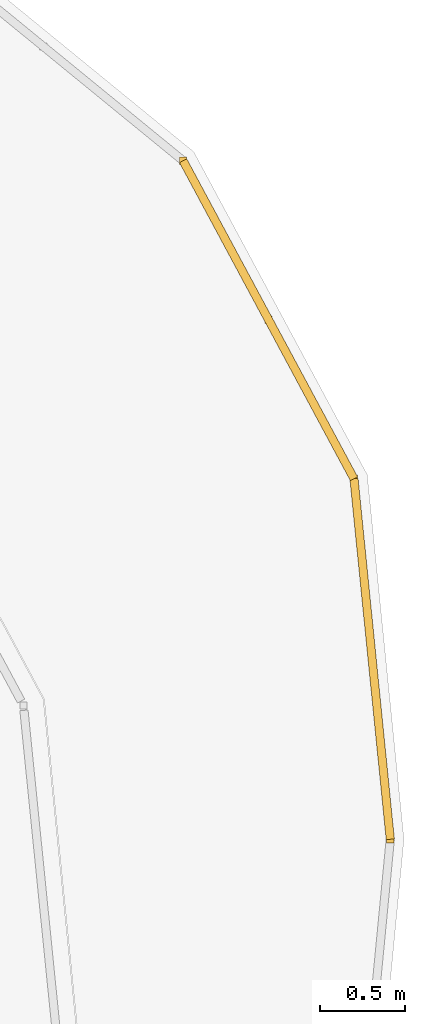
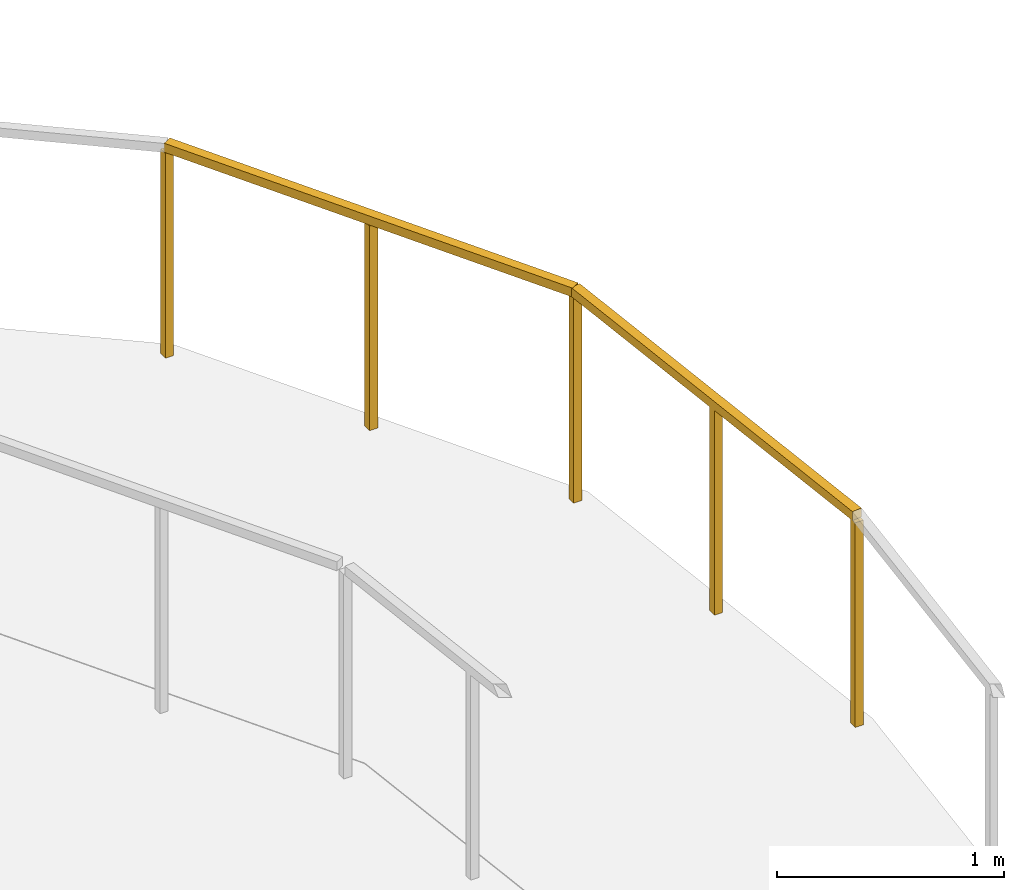
# One storey, part 19 of 19: 2 railings.
"""IFC4 building model written with IfcOpenShell, lengths in metres."""

from ifc_helpers import new_model, si_unit, direction, frame, origin, origin_2d, place, context, subcontext, project, spatial, rectangle, extrude, material, type_object, element, save


model = new_model("IFC4")

# Units and contexts
model_context = context("Model", 3, precision=1e-05, world=origin(), true_north=direction((0.0, 1.0)))
body_context = subcontext(model_context, "Body", "Model", "MODEL_VIEW")
ifc_project = project(units=[si_unit("LENGTHUNIT", "METRE"), si_unit("AREAUNIT", "SQUARE_METRE"), si_unit("VOLUMEUNIT", "CUBIC_METRE"), si_unit("PLANEANGLEUNIT", "RADIAN"), si_unit("MASSUNIT", "GRAM", prefix="KILO")], contexts=[model_context])

# Site, building, storey
site_placement = place(None, origin())
site = spatial("IfcSite", under=ifc_project, at=site_placement, CompositionType="ELEMENT")
building_placement = place(site_placement, origin())
building = spatial("IfcBuilding", under=site, at=building_placement, Name="Qhalaya Broadcast Tower", CompositionType="ELEMENT")
storey_placement = place(building_placement, frame((0.0, 0.0, 280.550048828125)))
storey = spatial("IfcBuildingStorey", under=building, at=storey_placement, Name="L83", CompositionType="ELEMENT", Elevation=280.550048828125)

# Railings
ifc_material = material(Name="Powder-Coated Galvanised Steel", Category="steel")
railing_type = type_object("IfcRailingType", Name="Terrace, Sky-Pool & Lookout Glass Balustrade 1150", PredefinedType="BALUSTRADE", material=ifc_material)
railing_1_placement = place(storey_placement, frame((23.32568359375, 12.77001953125, 0.0)))
element("IfcRailing", 1, at=railing_1_placement, inside=storey, type_object=railing_type, Name="L83 Perimeter Safety Balustrade BAL-TER1-14", PredefinedType="BALUSTRADE", context=body_context, shape_type="SweptSolid", body=[
    extrude(rectangle(XDim=0.048095703125, YDim=0.048095703125, at=origin_2d()), frame((0.0, 0.0, 1.1259765625), z_axis=(0.473349036276, -0.880874956993, 0.0), x_axis=(0.880874956993, 0.473349036276, 0.0)), (0.0, 0.0, 1.0), 2.1142578125),
    extrude(rectangle(XDim=0.0419921875, YDim=0.0419921875, at=origin_2d()), origin(), (0.0, 0.0, 1.0), 1.099853515625),
    extrude(rectangle(XDim=0.0419921875, YDim=0.0419921875, at=origin_2d()), frame((0.50048828125, -0.93115234375, 0.0)), (0.0, 0.0, 1.0), 1.099853515625),
    extrude(rectangle(XDim=0.0419921875, YDim=0.0419921875, at=origin_2d()), frame((1.000732421875, -1.8623046875, 0.0)), (0.0, 0.0, 1.0), 1.099853515625),
])
railing_2_placement = place(storey_placement, frame((24.326416015625, 10.90771484375, 0.0)))
element("IfcRailing", 2, at=railing_2_placement, inside=storey, type_object=railing_type, Name="L83 Perimeter Safety Balustrade BAL-TER1-15", PredefinedType="BALUSTRADE", context=body_context, shape_type="SweptSolid", body=[
    extrude(rectangle(XDim=0.048095703125, YDim=0.048095703125, at=origin_2d()), frame((0.0, 0.0, 1.1259765625), z_axis=(0.100198481383, -0.99496746898, 0.0), x_axis=(0.99496746898, 0.100198481383, 0.0)), (0.0, 0.0, 1.0), 2.122314453125),
    extrude(rectangle(XDim=0.0419921875, YDim=0.0419921875, at=origin_2d()), origin(), (0.0, 0.0, 1.0), 1.099853515625),
    extrude(rectangle(XDim=0.0419921875, YDim=0.0419921875, at=origin_2d()), frame((0.1064453125, -1.0556640625, 0.0)), (0.0, 0.0, 1.0), 1.099853515625),
    extrude(rectangle(XDim=0.0419921875, YDim=0.0419921875, at=origin_2d()), frame((0.212646484375, -2.111572265625, 0.0)), (0.0, 0.0, 1.0), 1.099853515625),
])

save(model, "model.ifc")
